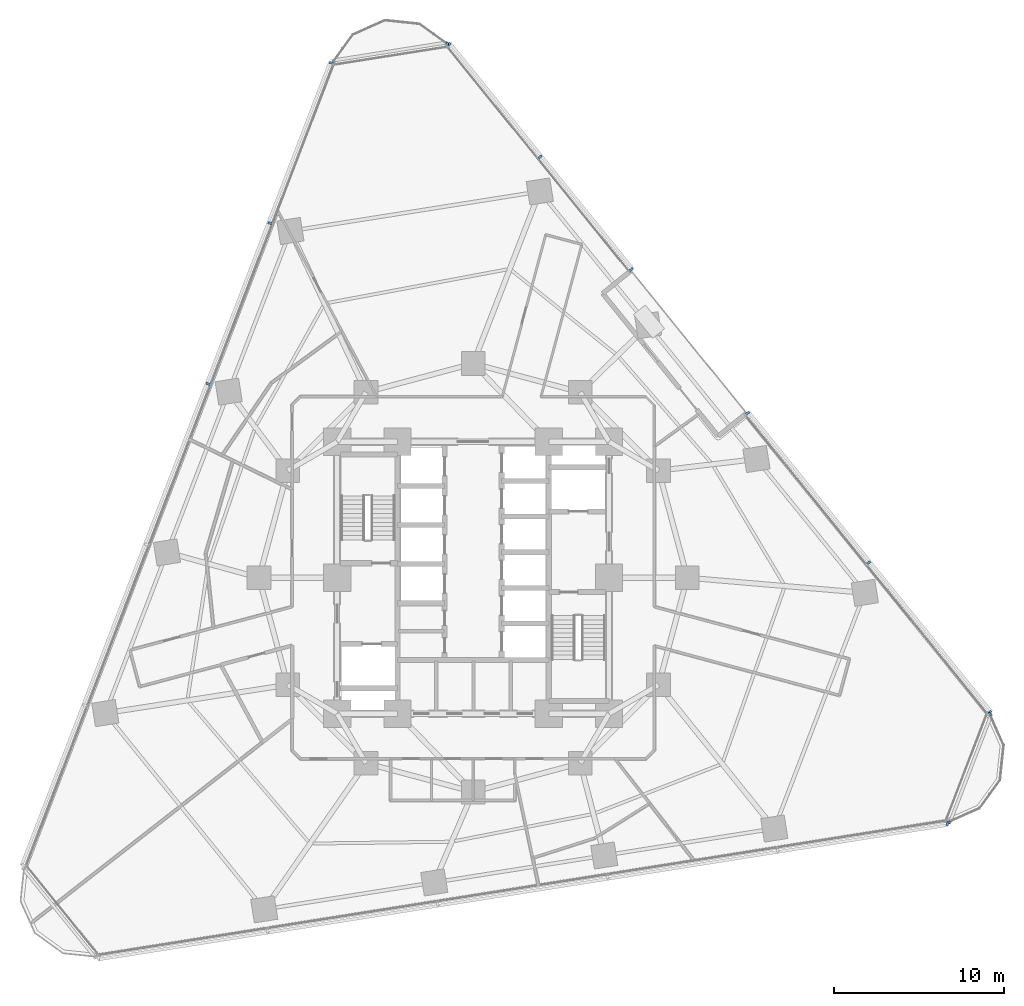
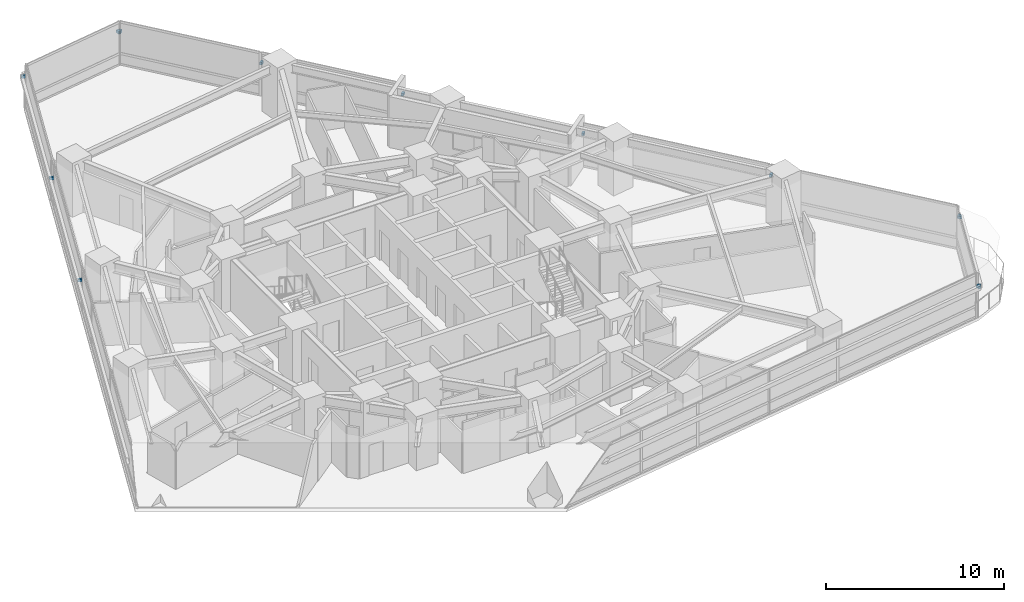
# One storey, part 10 of 13: 13 discrete accessories.
"""IFC4 building model written with IfcOpenShell, lengths in metres."""

import ifcopenshell
import ifcopenshell.guid

model = None  # the IFC model being written
_history = None  # IfcOwnerHistory: only IFC2X3 demands one
_inside = {}  # id of a spatial element -> (the spatial element, [elements in it])
_under = {}  # id of a project, library or spatial element -> (it, [spatial elements below it])
_declared = {}  # id of a project -> (the project, [libraries it declares])
_typed = {}  # id of a type object -> (the type object, [elements of that type])
_made_of = {}  # id of a material, layer set ... -> (it, [elements and type objects made of it])


def new_model(schema):
    """Start an empty IFC model of exactly this schema.

    Asked for "IFC4X3", IfcOpenShell would pick the latest addendum, in which some entities
    have other attributes; the version numbers below select the first issue.
    IFC2X3 requires an IfcOwnerHistory on every rooted entity: one is made here for all.
    """
    global model, _history
    if schema == "IFC4X3":
        model = ifcopenshell.file(schema_version=(4, 3, 0, 0))
    else:
        model = ifcopenshell.file(schema=schema)
    _inside.clear()
    _under.clear()
    _declared.clear()
    _typed.clear()
    _made_of.clear()
    _history = None
    if model.schema == "IFC2X3":
        org = make("IfcOrganization", Name="unknown")
        user = make(
            "IfcPersonAndOrganization",
            ThePerson=make("IfcPerson", FamilyName="unknown"),
            TheOrganization=org,
        )
        app = make(
            "IfcApplication",
            ApplicationDeveloper=org,
            Version="unknown",
            ApplicationFullName="unknown",
            ApplicationIdentifier="unknown",
        )
        _history = make(
            "IfcOwnerHistory",
            OwningUser=user,
            OwningApplication=app,
            ChangeAction="ADDED",
            CreationDate=0,
        )
    return model


def make(cls, **values):
    """One entity of the class cls with the attributes given. An attribute that is None is left unset."""
    return model.create_entity(
        cls, **{name: value for name, value in values.items() if value is not None}
    )


def rooted(cls, **values):
    """An entity with a GlobalId (a new one), such as an element, a storey or a relation."""
    return make(cls, GlobalId=ifcopenshell.guid.new(), OwnerHistory=_history, **values)


def si_unit(unit_type, name, prefix=None):
    """IfcSIUnit, for example si_unit("LENGTHUNIT", "METRE", prefix="MILLI")."""
    return make("IfcSIUnit", UnitType=unit_type, Prefix=prefix, Name=name)


def assignment(units):
    """IfcUnitAssignment: the units of a project."""
    return None if units is None else make("IfcUnitAssignment", Units=units)


def point(xyz):
    """IfcCartesianPoint."""
    return None if xyz is None else make("IfcCartesianPoint", Coordinates=xyz)


def direction(xyz):
    """IfcDirection."""
    return None if xyz is None else make("IfcDirection", DirectionRatios=xyz)


def frame(location, z_axis=None, x_axis=None):
    """IfcAxis2Placement3D, a coordinate frame: its origin and axes. An axis left out is left unset."""
    return make(
        "IfcAxis2Placement3D",
        Location=point(location),
        Axis=direction(z_axis),
        RefDirection=direction(x_axis),
    )


def frame_2d(location, x_axis=None):
    """IfcAxis2Placement2D, a coordinate frame in the plane: its origin and x axis."""
    return make(
        "IfcAxis2Placement2D", Location=point(location), RefDirection=direction(x_axis)
    )


def origin():
    """The frame at (0, 0, 0) with its axes left unset."""
    return frame((0.0, 0.0, 0.0))


def origin_2d():
    """The frame at (0, 0) in the plane with its x axis left unset."""
    return frame_2d((0.0, 0.0))


def place(relative_to, where):
    """IfcLocalPlacement: puts the frame where relative to a parent placement (None: the world)."""
    return make(
        "IfcLocalPlacement", PlacementRelTo=relative_to, RelativePlacement=where
    )


def context(
    kind, dimensions, precision=None, world=None, true_north=None, identifier=None
):
    """IfcGeometricRepresentationContext, for example the 3D "Model" context."""
    return make(
        "IfcGeometricRepresentationContext",
        ContextIdentifier=identifier,
        ContextType=kind,
        CoordinateSpaceDimension=dimensions,
        Precision=precision,
        WorldCoordinateSystem=world,
        TrueNorth=true_north,
    )


def subcontext(parent, identifier, kind, view, scale=None):
    """IfcGeometricRepresentationSubContext, for example "Body" below "Model"."""
    return make(
        "IfcGeometricRepresentationSubContext",
        ContextIdentifier=identifier,
        ContextType=kind,
        ParentContext=parent,
        TargetScale=scale,
        TargetView=view,
    )


def project(units=None, contexts=None):
    """IfcProject with its units and contexts."""
    return rooted(
        "IfcProject",
        Name="project",
        RepresentationContexts=contexts,
        UnitsInContext=assignment(units),
    )


def spatial(cls, under=None, at=None, **own):
    """A site, building, storey or space (cls), placed at a placement, below another one or the project."""
    s = rooted(cls, ObjectPlacement=at, **own)
    if under is not None:
        _under.setdefault(under.id(), (under, []))[1].append(s)
    return s


def profile(cls, at=None, kind="AREA", **sizes):
    """A parametric profile (cls). Its sizes go by their IFC names, for example OverallWidth=200.0."""
    return make(cls, ProfileType=kind, Position=at, **sizes)


def rectangle(**sizes):
    """IfcRectangleProfileDef."""
    return profile("IfcRectangleProfileDef", **sizes)


def extrude(swept, where, along, depth):
    """IfcExtrudedAreaSolid: the profile swept, set in the frame where, extruded along a direction by depth."""
    return make(
        "IfcExtrudedAreaSolid",
        SweptArea=swept,
        Position=where,
        ExtrudedDirection=direction(along),
        Depth=depth,
    )


def shape(context_of_items, identifier, shape_type, items):
    """IfcShapeRepresentation: the items that make up one representation, for example the "Body"."""
    return make(
        "IfcShapeRepresentation",
        ContextOfItems=context_of_items,
        RepresentationIdentifier=identifier,
        RepresentationType=shape_type,
        Items=items,
    )


def material(Name=None, Category=None):
    """IfcMaterial."""
    return make("IfcMaterial", Name=Name, Category=Category)


def made_of(thing, what):
    """Note that an element or type object is made of a material, layer set ...; save() writes the relation."""
    if what is not None:
        _made_of.setdefault(what.id(), (what, []))[1].append(thing)
    return thing


def type_object(cls, material=None, **own):
    """A type object (cls), such as IfcWallType, which elements share."""
    return made_of(rooted(cls, **own), material)


def element(
    cls,
    number,
    at=None,
    inside=None,
    cuts=None,
    type_object=None,
    material=None,
    context=None,
    identifier="Body",
    shape_type=None,
    held_by="IfcProductDefinitionShape",
    body=None,
    shapes=None,
    **own,
):
    """One element of the class cls, such as IfcWall. Its Tag is "e" and its number.

    at: its placement. inside: the storey or other place that contains it. cuts: it is an
    opening in that element (IfcRelVoidsElement). A single representation is given by context,
    identifier, shape_type and body (its items); several are given by shapes. held_by: the class
    of the entity that holds the representations. save() writes the other relations.
    """
    e = rooted(cls, Tag="e%d" % number, ObjectPlacement=at, **own)
    if body is not None:
        shapes = [shape(context, identifier, shape_type, body)]
    if shapes is not None:
        e.Representation = make(held_by, Representations=shapes)
    if inside is not None:
        _inside.setdefault(inside.id(), (inside, []))[1].append(e)
    if cuts is not None:
        rooted(
            "IfcRelVoidsElement", RelatingBuildingElement=cuts, RelatedOpeningElement=e
        )
    if type_object is not None:
        _typed.setdefault(type_object.id(), (type_object, []))[1].append(e)
    return made_of(e, material)


def aggregate(whole, parts):
    """IfcRelAggregates: a whole, such as a stair, and the parts it consists of."""
    return rooted("IfcRelAggregates", RelatingObject=whole, RelatedObjects=parts)


def save(model, path):
    """Write the relations noted so far, then the file.

    IfcRelAggregates (storeys below a building ...), IfcRelContainedInSpatialStructure (elements
    in a storey), IfcRelDefinesByType, IfcRelAssociatesMaterial and IfcRelDeclares: one each for
    every whole, place, type object, material and project.
    """
    for whole, parts in _under.values():
        aggregate(whole, parts)
    for where, things in _inside.values():
        rooted(
            "IfcRelContainedInSpatialStructure",
            RelatedElements=things,
            RelatingStructure=where,
        )
    for kind, things in _typed.values():
        rooted("IfcRelDefinesByType", RelatedObjects=things, RelatingType=kind)
    for what, things in _made_of.values():
        rooted("IfcRelAssociatesMaterial", RelatedObjects=things, RelatingMaterial=what)
    for by, libraries in _declared.values():
        rooted("IfcRelDeclares", RelatingContext=by, RelatedDefinitions=libraries)
    model.write(path)


model = new_model("IFC4")

# Units and contexts
model_context = context("Model", 3, precision=1e-05, world=origin(), true_north=direction((0.0, 1.0)))
body_context = subcontext(model_context, "Body", "Model", "MODEL_VIEW")
ifc_project = project(units=[si_unit("LENGTHUNIT", "METRE"), si_unit("AREAUNIT", "SQUARE_METRE"), si_unit("VOLUMEUNIT", "CUBIC_METRE"), si_unit("PLANEANGLEUNIT", "RADIAN"), si_unit("MASSUNIT", "GRAM", prefix="KILO")], contexts=[model_context])

# Site, building, storey
site_placement = place(None, origin())
site = spatial("IfcSite", under=ifc_project, at=site_placement, CompositionType="ELEMENT")
building_placement = place(site_placement, origin())
building = spatial("IfcBuilding", under=site, at=building_placement, Name="Terralouvre Media Tower", CompositionType="ELEMENT")
storey_placement = place(building_placement, frame((0.0, 0.0, 77.800048828125)))
storey = spatial("IfcBuildingStorey", under=building, at=storey_placement, Name="L19", CompositionType="ELEMENT", Elevation=77.800048828125)

# Discrete accessories
ifc_material = material(Name="Anodised extruded aluminium 6063-T6", Category="aluminium")
discrete_accessory_type = type_object("IfcDiscreteAccessoryType", Name="Mullion Stand-Off Baguette Fixing Bracket BK-01", PredefinedType="BRACKET", material=ifc_material)
for number, where, z_axis, x_axis, name in (
    (1, (27.886962890625, -14.4541015625, 2.07421875), (0.0, 0.0, 1.0), (0.987688340934, 0.156434462903, 0.0), "CW-L19-F0 Baguette Outrigger Bracket 1.06"),
    (2, (30.395751953125, -7.918701171875, 2.07421875), (0.0, 0.0, 1.0), (-0.629320278661, 0.777146052468, 0.0), "CW-L19-F1L Baguette Outrigger Bracket 1.01"),
    (3, (23.270263671875, 0.880615234375, 2.07421875), (0.0, 0.0, 1.0), (-0.629320278661, 0.777146052468, 0.0), "CW-L19-F1L Baguette Outrigger Bracket 1.02"),
    (4, (16.144775390625, 9.679931640625, 2.07421875), (0.0, 0.0, 1.0), (-0.629320278661, 0.777146052468, 0.0), "CW-L19-F1L Baguette Outrigger Bracket 1.03"),
    (5, (9.30078125, 18.13134765625, 2.07421875), (0.0, 0.0, 1.0), (-0.62932053153, 0.777145847699, 0.0), "CW-L19-F1R Baguette Outrigger Bracket 1.01"),
    (6, (3.9375, 24.754638671875, 2.07421875), (0.0, 0.0, 1.0), (-0.62932053153, 0.777145847699, 0.0), "CW-L19-F1R Baguette Outrigger Bracket 1.02"),
    (7, (-1.426025390625, 31.377685546875, 2.07421875), (0.0, 0.0, 1.0), (-0.62932053153, 0.777145847699, 0.0), "CW-L19-F1R Baguette Outrigger Bracket 1.03"),
    (8, (-8.340087890625, 30.28271484375, 2.07421875), (0.0, 0.0, 1.0), (-0.358367917006, -0.933580438988, 0.0), "CW-L19-F2 Baguette Outrigger Bracket 1.01"),
    (9, (-11.956298828125, 20.8623046875, 2.07421875), (0.0, 0.0, 1.0), (-0.358367917006, -0.933580438988, 0.0), "CW-L19-F2 Baguette Outrigger Bracket 1.02"),
    (10, (-15.585693359375, 11.406982421875, 2.07421875), (0.0, 0.0, 1.0), (-0.358367917006, -0.933580438988, 0.0), "CW-L19-F2 Baguette Outrigger Bracket 1.03"),
    (11, (27.949951171875, -14.380859375, 2.07421875), (0.0, 0.0, 1.0), (0.358367472863, 0.933580609478, 0.0), "CW-L19-C1 Baguette Outrigger Bracket 1.01"),
    (12, (30.393310546875, -8.01513671875, 2.07421875), (0.0, 0.0, 1.0), (0.358367472863, 0.933580609478, 0.0), "CW-L19-C1 Baguette Outrigger Bracket 1.02"),
    (13, (-1.520751953125, 31.395751953125, 2.07421875), (0.0, 0.0, 1.0), (-0.987688353034, -0.156434386502, 0.0), "CW-L19-C2 Baguette Outrigger Bracket 1.01"),
):
    element("IfcDiscreteAccessory", number, at=place(storey_placement, frame(where, z_axis=z_axis, x_axis=x_axis)), inside=storey, type_object=discrete_accessory_type, Name=name, PredefinedType="BRACKET", context=body_context, shape_type="SweptSolid", body=[
        extrude(rectangle(XDim=0.139892578125, YDim=0.239990234375, at=origin_2d()), origin(), (0.0, 0.0, 1.0), 0.179931640625),
    ])

save(model, "model.ifc")
